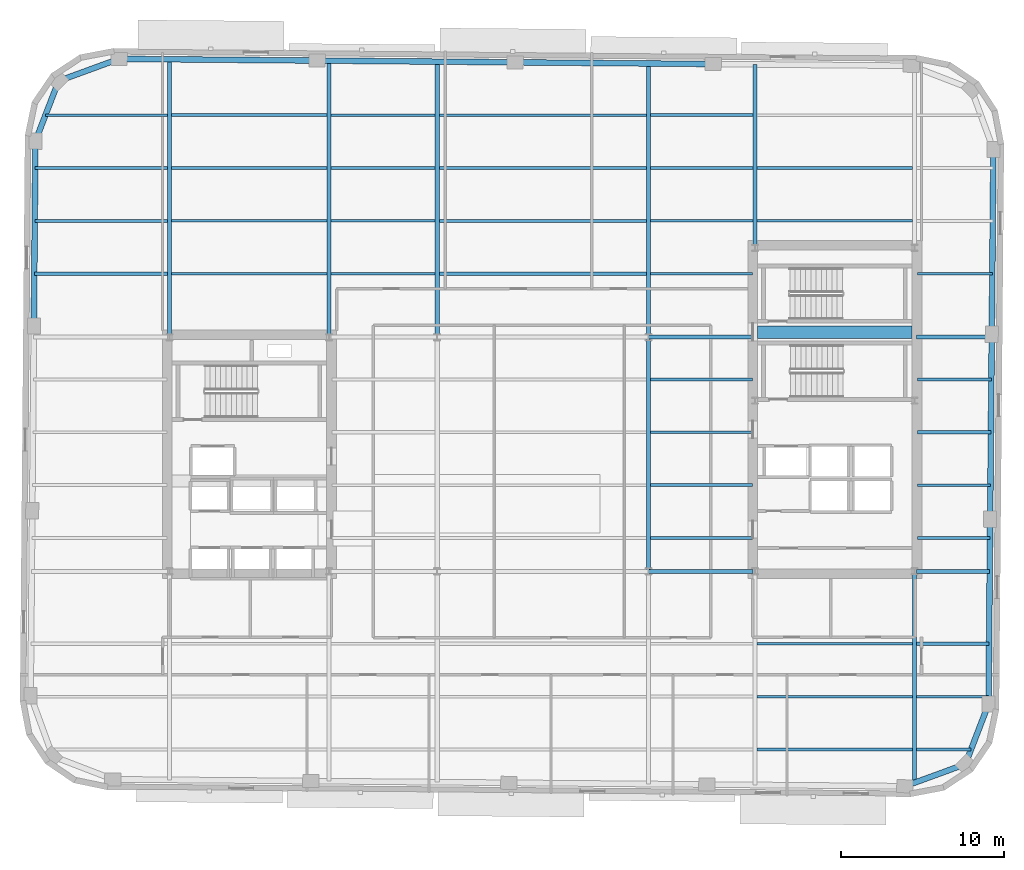
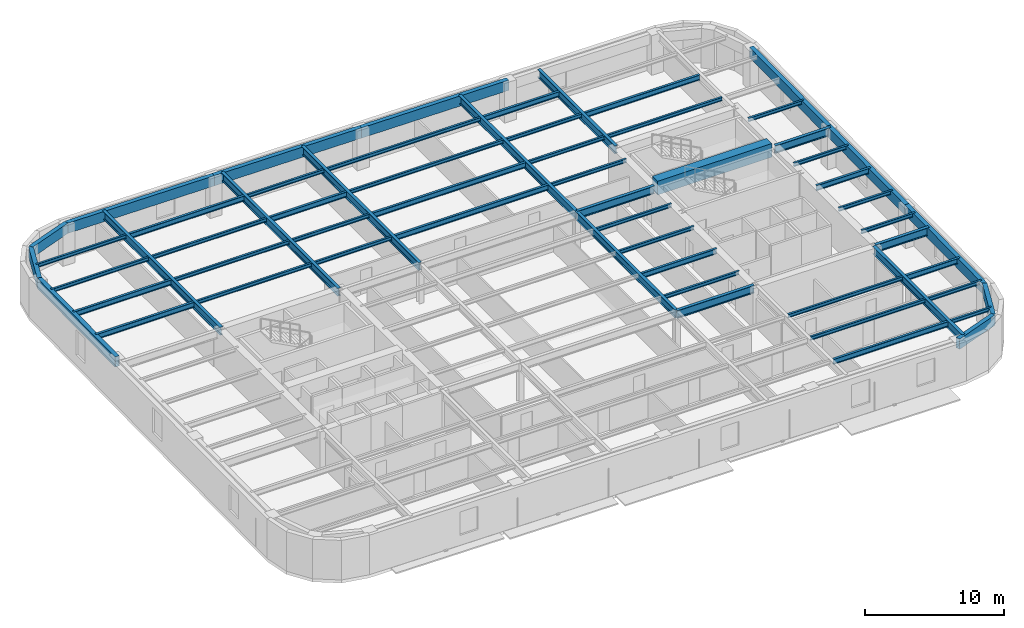
# One storey, part 2 of 11: 60 beams.
"""IFC4 building model written with IfcOpenShell, lengths in metres."""

from ifc_helpers import new_model, si_unit, direction, frame, origin, origin_2d, place, context, subcontext, project, spatial, rectangle, hollow_rectangle, i_section, extrude, material, material_profile, profile_set, type_object, element, save


model = new_model("IFC4")

# Units and contexts
model_context = context("Model", 3, precision=1e-05, world=origin(), true_north=direction((0.0, 1.0)))
body_context = subcontext(model_context, "Body", "Model", "MODEL_VIEW")
ifc_project = project(units=[si_unit("LENGTHUNIT", "METRE"), si_unit("AREAUNIT", "SQUARE_METRE"), si_unit("VOLUMEUNIT", "CUBIC_METRE"), si_unit("PLANEANGLEUNIT", "RADIAN"), si_unit("MASSUNIT", "GRAM", prefix="KILO")], contexts=[model_context])

# Site, building, storey
site_placement = place(None, origin())
site = spatial("IfcSite", under=ifc_project, at=site_placement, CompositionType="ELEMENT")
building_placement = place(site_placement, origin())
building = spatial("IfcBuilding", under=site, at=building_placement, Name="Kolvaren Arena Tower", CompositionType="ELEMENT")
storey_placement = place(building_placement, frame((0.0, 0.0, 195.949951171875)))
storey = spatial("IfcBuildingStorey", under=building, at=storey_placement, Name="L47", CompositionType="ELEMENT", Elevation=195.949951171875)

# Beams
ifc_material_1 = material(Name="Steel CSA G40.21 350W", Category="steel")
ifc_material_profile_1 = material_profile(ifc_material_1, i_section(OverallWidth=0.193115234375, OverallDepth=0.462890625, WebThickness=0.0107421875, FlangeThickness=0.0205078125, FilletRadius=0.012939453125, at=origin_2d()), Name="W460x113")
ifc_profile_set_1 = profile_set([ifc_material_profile_1], Name="Steel CSA G40.21 350W")
beam_type_1 = type_object("IfcBeamType", Name="BEAM-F2", PredefinedType="BEAM", material=ifc_profile_set_1)
beam_1_placement = place(storey_placement, frame((50.677490234375, 8.5, 3.24853515625), z_axis=(1.0, 0.0, 0.0), x_axis=(0.0, 1.0, 0.0)))
element("IfcBeam", 1, at=beam_1_placement, inside=storey, type_object=beam_type_1, Name="Composite Floor Beam (L47)", PredefinedType="BEAM", context=body_context, shape_type="SweptSolid", body=[
    extrude(i_section(OverallWidth=0.193115234375, OverallDepth=0.462890625, WebThickness=0.0107421875, FlangeThickness=0.0205078125, FilletRadius=0.012939453125, at=origin_2d()), origin(), (0.0, 0.0, 1.0), 9.544921875),
])
beam_2_placement = place(storey_placement, frame((60.4775390625, 15.0, 3.24853515625), z_axis=(1.0, 0.0, 0.0), x_axis=(0.0, 1.0, 0.0)))
element("IfcBeam", 2, at=beam_2_placement, inside=storey, type_object=beam_type_1, Name="Composite Floor Beam (L47)", PredefinedType="BEAM", context=body_context, shape_type="SweptSolid", body=[
    extrude(i_section(OverallWidth=0.193115234375, OverallDepth=0.462890625, WebThickness=0.0107421875, FlangeThickness=0.0205078125, FilletRadius=0.012939453125, at=origin_2d()), origin(), (0.0, 0.0, 1.0), 4.454833984375),
])
beam_3_placement = place(storey_placement, frame((44.12744140625, 24.75, 3.24853515625), z_axis=(1.0, 0.0, 0.0), x_axis=(0.0, 1.0, 0.0)))
element("IfcBeam", 3, at=beam_3_placement, inside=storey, type_object=beam_type_1, Name="Composite Floor Beam (L47)", PredefinedType="BEAM", context=body_context, shape_type="SweptSolid", body=[
    extrude(i_section(OverallWidth=0.193115234375, OverallDepth=0.462890625, WebThickness=0.0107421875, FlangeThickness=0.0205078125, FilletRadius=0.012939453125, at=origin_2d()), origin(), (0.0, 0.0, 1.0), 6.25244140625),
])
beam_4_placement = place(storey_placement, frame((60.52001953125, 28.0, 3.24853515625), z_axis=(1.0, 0.0, 0.0), x_axis=(0.0, 1.0, 0.0)))
element("IfcBeam", 4, at=beam_4_placement, inside=storey, type_object=beam_type_1, Name="Composite Floor Beam (L47)", PredefinedType="BEAM", context=body_context, shape_type="SweptSolid", body=[
    extrude(i_section(OverallWidth=0.193115234375, OverallDepth=0.462890625, WebThickness=0.0107421875, FlangeThickness=0.0205078125, FilletRadius=0.012939453125, at=origin_2d()), origin(), (0.0, 0.0, 1.0), 4.52587890625),
])
beam_5_placement = place(storey_placement, frame((6.228759765625, 37.75, 3.24853515625), z_axis=(1.0, 0.0, 0.0), x_axis=(0.0, 1.0, 0.0)))
element("IfcBeam", 5, at=beam_5_placement, inside=storey, type_object=beam_type_1, Name="Composite Floor Beam (L47)", PredefinedType="BEAM", context=body_context, shape_type="SweptSolid", body=[
    extrude(i_section(OverallWidth=0.193115234375, OverallDepth=0.462890625, WebThickness=0.0107421875, FlangeThickness=0.0205078125, FilletRadius=0.012939453125, at=origin_2d()), origin(), (0.0, 0.0, 1.0), 8.19384765625),
])
beam_6_placement = place(storey_placement, frame((31.12744140625, 37.75, 3.24853515625), z_axis=(1.0, 0.0, 0.0), x_axis=(0.0, 1.0, 0.0)))
element("IfcBeam", 6, at=beam_6_placement, inside=storey, type_object=beam_type_1, Name="Composite Floor Beam (L47)", PredefinedType="BEAM", context=body_context, shape_type="SweptSolid", body=[
    extrude(i_section(OverallWidth=0.193115234375, OverallDepth=0.462890625, WebThickness=0.0107421875, FlangeThickness=0.0205078125, FilletRadius=0.012939453125, at=origin_2d()), origin(), (0.0, 0.0, 1.0), 12.7451171875),
])
beam_7_placement = place(storey_placement, frame((6.257080078125, 41.0, 3.24853515625), z_axis=(1.0, 0.0, 0.0), x_axis=(0.0, 1.0, 0.0)))
element("IfcBeam", 7, at=beam_7_placement, inside=storey, type_object=beam_type_1, Name="Composite Floor Beam (L47)", PredefinedType="BEAM", context=body_context, shape_type="SweptSolid", body=[
    extrude(i_section(OverallWidth=0.193115234375, OverallDepth=0.462890625, WebThickness=0.0107421875, FlangeThickness=0.0205078125, FilletRadius=0.012939453125, at=origin_2d()), origin(), (0.0, 0.0, 1.0), 8.16552734375),
])
beam_8_placement = place(storey_placement, frame((31.12744140625, 41.0, 3.24853515625), z_axis=(1.0, 0.0, 0.0), x_axis=(0.0, 1.0, 0.0)))
element("IfcBeam", 8, at=beam_8_placement, inside=storey, type_object=beam_type_1, Name="Composite Floor Beam (L47)", PredefinedType="BEAM", context=body_context, shape_type="SweptSolid", body=[
    extrude(i_section(OverallWidth=0.193115234375, OverallDepth=0.462890625, WebThickness=0.0107421875, FlangeThickness=0.0205078125, FilletRadius=0.012939453125, at=origin_2d()), origin(), (0.0, 0.0, 1.0), 12.7451171875),
])
beam_9_placement = place(storey_placement, frame((24.4775390625, 44.25, 3.24853515625), z_axis=(1.0, 0.0, 0.0), x_axis=(0.0, 1.0, 0.0)))
element("IfcBeam", 9, at=beam_9_placement, inside=storey, type_object=beam_type_1, Name="Composite Floor Beam (L47)", PredefinedType="BEAM", context=body_context, shape_type="SweptSolid", body=[
    extrude(i_section(OverallWidth=0.193115234375, OverallDepth=0.462890625, WebThickness=0.0107421875, FlangeThickness=0.0205078125, FilletRadius=0.012939453125, at=origin_2d()), origin(), (0.0, 0.0, 1.0), 6.39501953125),
])
for number, where, z_axis, x_axis, name in (
    (10, (50.677490234375, 44.25, 3.24853515625), (1.0, 0.0, 0.0), (0.0, 1.0, 0.0), "Composite Floor Beam (L47)"),
    (11, (14.677490234375, 47.5, 3.24853515625), (1.0, 0.0, 0.0), (0.0, 1.0, 0.0), "Composite Floor Beam (L47)"),
):
    element("IfcBeam", number, at=place(storey_placement, frame(where, z_axis=z_axis, x_axis=x_axis)), inside=storey, type_object=beam_type_1, Name=name, PredefinedType="BEAM", context=body_context, shape_type="SweptSolid", body=[
        extrude(i_section(OverallWidth=0.193115234375, OverallDepth=0.462890625, WebThickness=0.0107421875, FlangeThickness=0.0205078125, FilletRadius=0.012939453125, at=origin_2d()), origin(), (0.0, 0.0, 1.0), 9.544921875),
    ])
beam_10_placement = place(storey_placement, frame((44.12744140625, 47.5, 3.24853515625), z_axis=(1.0, 0.0, 0.0), x_axis=(0.0, 1.0, 0.0)))
element("IfcBeam", 12, at=beam_10_placement, inside=storey, type_object=beam_type_1, Name="Composite Floor Beam (L47)", PredefinedType="BEAM", context=body_context, shape_type="SweptSolid", body=[
    extrude(i_section(OverallWidth=0.193115234375, OverallDepth=0.462890625, WebThickness=0.0107421875, FlangeThickness=0.0205078125, FilletRadius=0.012939453125, at=origin_2d()), origin(), (0.0, 0.0, 1.0), 6.295166015625),
])
ifc_material_2 = material(Name="Concrete 60 MPa", Category="concrete")
ifc_material_profile_2 = material_profile(ifc_material_2, rectangle(XDim=0.75, YDim=1.199951171875, at=origin_2d()), Name="RC-750x1200")
ifc_profile_set_2 = profile_set([ifc_material_profile_2], Name="Concrete 60 MPa")
beam_type_2 = type_object("IfcBeamType", Name="CB-CORE-2", PredefinedType="BEAM", material=ifc_profile_set_2)
beam_11_placement = place(storey_placement, frame((50.699951171875, 34.14990234375, 3.150146484375), z_axis=(1.0, 0.0, 0.0), x_axis=(0.0, 1.0, 0.0)))
element("IfcBeam", 13, at=beam_11_placement, inside=storey, type_object=beam_type_2, Name="East Core Coupling Beam (L47)", PredefinedType="BEAM", context=body_context, shape_type="SweptSolid", body=[
    extrude(rectangle(XDim=0.75, YDim=1.199951171875, at=origin_2d()), origin(), (0.0, 0.0, 1.0), 9.5),
])
ifc_material_profile_3 = material_profile(ifc_material_1, i_section(OverallWidth=0.2548828125, OverallDepth=0.695068359375, WebThickness=0.01708984375, FlangeThickness=0.02978515625, FilletRadius=0.01611328125, at=origin_2d()), Name="W690x217")
ifc_profile_set_3 = profile_set([ifc_material_profile_3], Name="Steel CSA G40.21 350W")
beam_type_3 = type_object("IfcBeamType", Name="GIRD-T2", PredefinedType="BEAM", material=ifc_profile_set_3)
beam_12_placement = place(storey_placement, frame((44.0, 19.449951171875, 3.132568359375), z_axis=(1.0, 0.0, 0.0), x_axis=(0.0, 1.0, 0.0)))
element("IfcBeam", 14, at=beam_12_placement, inside=storey, type_object=beam_type_3, Name="Primary Floor Girder (L47)", PredefinedType="BEAM", context=body_context, shape_type="SweptSolid", body=[
    extrude(i_section(OverallWidth=0.2548828125, OverallDepth=0.695068359375, WebThickness=0.01708984375, FlangeThickness=0.02978515625, FilletRadius=0.01611328125, at=origin_2d()), origin(), (0.0, 0.0, 1.0), 6.419921875),
])
beam_13_placement = place(storey_placement, frame((60.47998046875, 19.449951171875, 3.132568359375), z_axis=(1.0, 0.0, 0.0), x_axis=(0.0, 1.0, 0.0)))
element("IfcBeam", 15, at=beam_13_placement, inside=storey, type_object=beam_type_3, Name="Primary Floor Girder (L47)", PredefinedType="BEAM", context=body_context, shape_type="SweptSolid", body=[
    extrude(i_section(OverallWidth=0.2548828125, OverallDepth=0.695068359375, WebThickness=0.01708984375, FlangeThickness=0.02978515625, FilletRadius=0.01611328125, at=origin_2d()), origin(), (0.0, 0.0, 1.0), 4.4912109375),
])
beam_14_placement = place(storey_placement, frame((44.0, 33.85009765625, 3.132568359375), z_axis=(1.0, 0.0, 0.0), x_axis=(0.0, 1.0, 0.0)))
element("IfcBeam", 16, at=beam_14_placement, inside=storey, type_object=beam_type_3, Name="Primary Floor Girder (L47)", PredefinedType="BEAM", context=body_context, shape_type="SweptSolid", body=[
    extrude(i_section(OverallWidth=0.2548828125, OverallDepth=0.695068359375, WebThickness=0.01708984375, FlangeThickness=0.02978515625, FilletRadius=0.01611328125, at=origin_2d()), origin(), (0.0, 0.0, 1.0), 6.419921875),
])
beam_15_placement = place(storey_placement, frame((60.47998046875, 33.85009765625, 3.132568359375), z_axis=(1.0, 0.0, 0.0), x_axis=(0.0, 1.0, 0.0)))
element("IfcBeam", 17, at=beam_15_placement, inside=storey, type_object=beam_type_3, Name="Primary Floor Girder (L47)", PredefinedType="BEAM", context=body_context, shape_type="SweptSolid", body=[
    extrude(i_section(OverallWidth=0.2548828125, OverallDepth=0.695068359375, WebThickness=0.01708984375, FlangeThickness=0.02978515625, FilletRadius=0.01611328125, at=origin_2d()), origin(), (0.0, 0.0, 1.0), 4.616943359375),
])
beam_16_placement = place(storey_placement, frame((14.550048828125, 33.97998046875, 3.132568359375), z_axis=(0.0, 1.0, 0.0), x_axis=(-1.0, 0.0, 0.0)))
element("IfcBeam", 18, at=beam_16_placement, inside=storey, type_object=beam_type_3, Name="Primary Floor Girder (L47)", PredefinedType="BEAM", context=body_context, shape_type="SweptSolid", body=[
    extrude(i_section(OverallWidth=0.2548828125, OverallDepth=0.695068359375, WebThickness=0.01708984375, FlangeThickness=0.02978515625, FilletRadius=0.01611328125, at=origin_2d()), origin(), (0.0, 0.0, 1.0), 16.95458984375),
])
beam_17_placement = place(storey_placement, frame((24.35009765625, 33.97998046875, 3.132568359375), z_axis=(0.0, 1.0, 0.0), x_axis=(-1.0, 0.0, 0.0)))
element("IfcBeam", 19, at=beam_17_placement, inside=storey, type_object=beam_type_3, Name="Primary Floor Girder (L47)", PredefinedType="BEAM", context=body_context, shape_type="SweptSolid", body=[
    extrude(i_section(OverallWidth=0.2548828125, OverallDepth=0.695068359375, WebThickness=0.01708984375, FlangeThickness=0.02978515625, FilletRadius=0.01611328125, at=origin_2d()), origin(), (0.0, 0.0, 1.0), 16.869140625),
])
beam_18_placement = place(storey_placement, frame((31.0, 33.85009765625, 3.132568359375), z_axis=(0.0, 1.0, 0.0), x_axis=(-1.0, 0.0, 0.0)))
element("IfcBeam", 20, at=beam_18_placement, inside=storey, type_object=beam_type_3, Name="Primary Floor Girder (L47)", PredefinedType="BEAM", context=body_context, shape_type="SweptSolid", body=[
    extrude(i_section(OverallWidth=0.2548828125, OverallDepth=0.695068359375, WebThickness=0.01708984375, FlangeThickness=0.02978515625, FilletRadius=0.01611328125, at=origin_2d()), origin(), (0.0, 0.0, 1.0), 16.94091796875),
])
beam_19_placement = place(storey_placement, frame((44.0, 19.449951171875, 3.132568359375), z_axis=(0.0, 1.0, 0.0), x_axis=(-1.0, 0.0, 0.0)))
element("IfcBeam", 21, at=beam_19_placement, inside=storey, type_object=beam_type_3, Name="Primary Floor Girder (L47)", PredefinedType="BEAM", context=body_context, shape_type="SweptSolid", body=[
    extrude(i_section(OverallWidth=0.2548828125, OverallDepth=0.695068359375, WebThickness=0.01708984375, FlangeThickness=0.02978515625, FilletRadius=0.01611328125, at=origin_2d()), origin(), (0.0, 0.0, 1.0), 14.400146484375),
])
beam_20_placement = place(storey_placement, frame((44.0, 33.85009765625, 3.132568359375), z_axis=(0.0, 1.0, 0.0), x_axis=(-1.0, 0.0, 0.0)))
element("IfcBeam", 22, at=beam_20_placement, inside=storey, type_object=beam_type_3, Name="Primary Floor Girder (L47)", PredefinedType="BEAM", context=body_context, shape_type="SweptSolid", body=[
    extrude(i_section(OverallWidth=0.2548828125, OverallDepth=0.695068359375, WebThickness=0.01708984375, FlangeThickness=0.02978515625, FilletRadius=0.01611328125, at=origin_2d()), origin(), (0.0, 0.0, 1.0), 16.827392578125),
])
beam_21_placement = place(storey_placement, frame((50.550048828125, 39.47998046875, 3.132568359375), z_axis=(0.0, 1.0, 0.0), x_axis=(-1.0, 0.0, 0.0)))
element("IfcBeam", 23, at=beam_21_placement, inside=storey, type_object=beam_type_3, Name="Primary Floor Girder (L47)", PredefinedType="BEAM", context=body_context, shape_type="SweptSolid", body=[
    extrude(i_section(OverallWidth=0.2548828125, OverallDepth=0.695068359375, WebThickness=0.01708984375, FlangeThickness=0.02978515625, FilletRadius=0.01611328125, at=origin_2d()), origin(), (0.0, 0.0, 1.0), 11.140380859375),
])
beam_22_placement = place(storey_placement, frame((60.35009765625, 6.455322265625, 3.132568359375), z_axis=(0.0, 1.0, 0.0), x_axis=(-1.0, 0.0, 0.0)))
element("IfcBeam", 24, at=beam_22_placement, inside=storey, type_object=beam_type_3, Name="Primary Floor Girder (L47)", PredefinedType="BEAM", context=body_context, shape_type="SweptSolid", body=[
    extrude(i_section(OverallWidth=0.2548828125, OverallDepth=0.695068359375, WebThickness=0.01708984375, FlangeThickness=0.02978515625, FilletRadius=0.01611328125, at=origin_2d()), origin(), (0.0, 0.0, 1.0), 12.86474609375),
])
ifc_material_profile_4 = material_profile(ifc_material_1, i_section(OverallWidth=0.1669921875, OverallDepth=0.31689453125, WebThickness=0.007568359375, FlangeThickness=0.01318359375, FilletRadius=0.010009765625, at=origin_2d()), Name="W310x52")
ifc_profile_set_4 = profile_set([ifc_material_profile_4], Name="Steel CSA G40.21 350W")
beam_type_4 = type_object("IfcBeamType", Name="JOIST-02", PredefinedType="JOIST", material=ifc_profile_set_4)
beam_23_placement = place(storey_placement, frame((60.4775390625, 8.5, 3.321533203125), z_axis=(1.0, 0.0, 0.0), x_axis=(0.0, 1.0, 0.0)))
element("IfcBeam", 25, at=beam_23_placement, inside=storey, type_object=beam_type_4, Name="Composite Floor Joist (L47)", PredefinedType="JOIST", context=body_context, shape_type="SweptSolid", body=[
    extrude(i_section(OverallWidth=0.1669921875, OverallDepth=0.31689453125, WebThickness=0.007568359375, FlangeThickness=0.01318359375, FilletRadius=0.010009765625, at=origin_2d()), origin(), (0.0, 0.0, 1.0), 3.3466796875),
])
beam_24_placement = place(storey_placement, frame((50.677490234375, 11.75, 3.321533203125), z_axis=(1.0, 0.0, 0.0), x_axis=(0.0, 1.0, 0.0)))
element("IfcBeam", 26, at=beam_24_placement, inside=storey, type_object=beam_type_4, Name="Composite Floor Joist (L47)", PredefinedType="JOIST", context=body_context, shape_type="SweptSolid", body=[
    extrude(i_section(OverallWidth=0.1669921875, OverallDepth=0.31689453125, WebThickness=0.007568359375, FlangeThickness=0.01318359375, FilletRadius=0.010009765625, at=origin_2d()), origin(), (0.0, 0.0, 1.0), 9.544921875),
])
beam_25_placement = place(storey_placement, frame((60.4775390625, 11.75, 3.321533203125), z_axis=(1.0, 0.0, 0.0), x_axis=(0.0, 1.0, 0.0)))
element("IfcBeam", 27, at=beam_25_placement, inside=storey, type_object=beam_type_4, Name="Composite Floor Joist (L47)", PredefinedType="JOIST", context=body_context, shape_type="SweptSolid", body=[
    extrude(i_section(OverallWidth=0.1669921875, OverallDepth=0.31689453125, WebThickness=0.007568359375, FlangeThickness=0.01318359375, FilletRadius=0.010009765625, at=origin_2d()), origin(), (0.0, 0.0, 1.0), 4.426513671875),
])
beam_26_placement = place(storey_placement, frame((50.677490234375, 15.0, 3.321533203125), z_axis=(1.0, 0.0, 0.0), x_axis=(0.0, 1.0, 0.0)))
element("IfcBeam", 28, at=beam_26_placement, inside=storey, type_object=beam_type_4, Name="Composite Floor Joist (L47)", PredefinedType="JOIST", context=body_context, shape_type="SweptSolid", body=[
    extrude(i_section(OverallWidth=0.1669921875, OverallDepth=0.31689453125, WebThickness=0.007568359375, FlangeThickness=0.01318359375, FilletRadius=0.010009765625, at=origin_2d()), origin(), (0.0, 0.0, 1.0), 9.544921875),
])
beam_27_placement = place(storey_placement, frame((44.12744140625, 21.5, 3.321533203125), z_axis=(1.0, 0.0, 0.0), x_axis=(0.0, 1.0, 0.0)))
element("IfcBeam", 29, at=beam_27_placement, inside=storey, type_object=beam_type_4, Name="Composite Floor Joist (L47)", PredefinedType="JOIST", context=body_context, shape_type="SweptSolid", body=[
    extrude(i_section(OverallWidth=0.1669921875, OverallDepth=0.31689453125, WebThickness=0.007568359375, FlangeThickness=0.01318359375, FilletRadius=0.010009765625, at=origin_2d()), origin(), (0.0, 0.0, 1.0), 6.25244140625),
])
beam_28_placement = place(storey_placement, frame((60.52001953125, 21.5, 3.321533203125), z_axis=(1.0, 0.0, 0.0), x_axis=(0.0, 1.0, 0.0)))
element("IfcBeam", 30, at=beam_28_placement, inside=storey, type_object=beam_type_4, Name="Composite Floor Joist (L47)", PredefinedType="JOIST", context=body_context, shape_type="SweptSolid", body=[
    extrude(i_section(OverallWidth=0.1669921875, OverallDepth=0.31689453125, WebThickness=0.007568359375, FlangeThickness=0.01318359375, FilletRadius=0.010009765625, at=origin_2d()), origin(), (0.0, 0.0, 1.0), 4.46923828125),
])
beam_29_placement = place(storey_placement, frame((60.52001953125, 24.75, 3.321533203125), z_axis=(1.0, 0.0, 0.0), x_axis=(0.0, 1.0, 0.0)))
element("IfcBeam", 31, at=beam_29_placement, inside=storey, type_object=beam_type_4, Name="Composite Floor Joist (L47)", PredefinedType="JOIST", context=body_context, shape_type="SweptSolid", body=[
    extrude(i_section(OverallWidth=0.1669921875, OverallDepth=0.31689453125, WebThickness=0.007568359375, FlangeThickness=0.01318359375, FilletRadius=0.010009765625, at=origin_2d()), origin(), (0.0, 0.0, 1.0), 4.49755859375),
])
for number, where, z_axis, x_axis, name in (
    (32, (44.12744140625, 28.0, 3.321533203125), (1.0, 0.0, 0.0), (0.0, 1.0, 0.0), "Composite Floor Joist (L47)"),
    (33, (44.12744140625, 31.25, 3.321533203125), (1.0, 0.0, 0.0), (0.0, 1.0, 0.0), "Composite Floor Joist (L47)"),
):
    element("IfcBeam", number, at=place(storey_placement, frame(where, z_axis=z_axis, x_axis=x_axis)), inside=storey, type_object=beam_type_4, Name=name, PredefinedType="JOIST", context=body_context, shape_type="SweptSolid", body=[
        extrude(i_section(OverallWidth=0.1669921875, OverallDepth=0.31689453125, WebThickness=0.007568359375, FlangeThickness=0.01318359375, FilletRadius=0.010009765625, at=origin_2d()), origin(), (0.0, 0.0, 1.0), 6.25244140625),
    ])
beam_30_placement = place(storey_placement, frame((60.52001953125, 31.25, 3.321533203125), z_axis=(1.0, 0.0, 0.0), x_axis=(0.0, 1.0, 0.0)))
element("IfcBeam", 34, at=beam_30_placement, inside=storey, type_object=beam_type_4, Name="Composite Floor Joist (L47)", PredefinedType="JOIST", context=body_context, shape_type="SweptSolid", body=[
    extrude(i_section(OverallWidth=0.1669921875, OverallDepth=0.31689453125, WebThickness=0.007568359375, FlangeThickness=0.01318359375, FilletRadius=0.010009765625, at=origin_2d()), origin(), (0.0, 0.0, 1.0), 4.55419921875),
])
beam_31_placement = place(storey_placement, frame((14.677490234375, 37.75, 3.321533203125), z_axis=(1.0, 0.0, 0.0), x_axis=(0.0, 1.0, 0.0)))
element("IfcBeam", 35, at=beam_31_placement, inside=storey, type_object=beam_type_4, Name="Composite Floor Joist (L47)", PredefinedType="JOIST", context=body_context, shape_type="SweptSolid", body=[
    extrude(i_section(OverallWidth=0.1669921875, OverallDepth=0.31689453125, WebThickness=0.007568359375, FlangeThickness=0.01318359375, FilletRadius=0.010009765625, at=origin_2d()), origin(), (0.0, 0.0, 1.0), 9.544921875),
])
beam_32_placement = place(storey_placement, frame((24.4775390625, 37.75, 3.321533203125), z_axis=(1.0, 0.0, 0.0), x_axis=(0.0, 1.0, 0.0)))
element("IfcBeam", 36, at=beam_32_placement, inside=storey, type_object=beam_type_4, Name="Composite Floor Joist (L47)", PredefinedType="JOIST", context=body_context, shape_type="SweptSolid", body=[
    extrude(i_section(OverallWidth=0.1669921875, OverallDepth=0.31689453125, WebThickness=0.007568359375, FlangeThickness=0.01318359375, FilletRadius=0.010009765625, at=origin_2d()), origin(), (0.0, 0.0, 1.0), 6.39501953125),
])
beam_33_placement = place(storey_placement, frame((44.12744140625, 37.75, 3.321533203125), z_axis=(1.0, 0.0, 0.0), x_axis=(0.0, 1.0, 0.0)))
element("IfcBeam", 37, at=beam_33_placement, inside=storey, type_object=beam_type_4, Name="Composite Floor Joist (L47)", PredefinedType="JOIST", context=body_context, shape_type="SweptSolid", body=[
    extrude(i_section(OverallWidth=0.1669921875, OverallDepth=0.31689453125, WebThickness=0.007568359375, FlangeThickness=0.01318359375, FilletRadius=0.010009765625, at=origin_2d()), origin(), (0.0, 0.0, 1.0), 6.25244140625),
])
beam_34_placement = place(storey_placement, frame((60.52001953125, 37.75, 3.321533203125), z_axis=(1.0, 0.0, 0.0), x_axis=(0.0, 1.0, 0.0)))
element("IfcBeam", 38, at=beam_34_placement, inside=storey, type_object=beam_type_4, Name="Composite Floor Joist (L47)", PredefinedType="JOIST", context=body_context, shape_type="SweptSolid", body=[
    extrude(i_section(OverallWidth=0.1669921875, OverallDepth=0.31689453125, WebThickness=0.007568359375, FlangeThickness=0.01318359375, FilletRadius=0.010009765625, at=origin_2d()), origin(), (0.0, 0.0, 1.0), 4.611083984375),
])
beam_35_placement = place(storey_placement, frame((14.677490234375, 41.0, 3.321533203125), z_axis=(1.0, 0.0, 0.0), x_axis=(0.0, 1.0, 0.0)))
element("IfcBeam", 39, at=beam_35_placement, inside=storey, type_object=beam_type_4, Name="Composite Floor Joist (L47)", PredefinedType="JOIST", context=body_context, shape_type="SweptSolid", body=[
    extrude(i_section(OverallWidth=0.1669921875, OverallDepth=0.31689453125, WebThickness=0.007568359375, FlangeThickness=0.01318359375, FilletRadius=0.010009765625, at=origin_2d()), origin(), (0.0, 0.0, 1.0), 9.544921875),
])
beam_36_placement = place(storey_placement, frame((24.4775390625, 41.0, 3.321533203125), z_axis=(1.0, 0.0, 0.0), x_axis=(0.0, 1.0, 0.0)))
element("IfcBeam", 40, at=beam_36_placement, inside=storey, type_object=beam_type_4, Name="Composite Floor Joist (L47)", PredefinedType="JOIST", context=body_context, shape_type="SweptSolid", body=[
    extrude(i_section(OverallWidth=0.1669921875, OverallDepth=0.31689453125, WebThickness=0.007568359375, FlangeThickness=0.01318359375, FilletRadius=0.010009765625, at=origin_2d()), origin(), (0.0, 0.0, 1.0), 6.39501953125),
])
beam_37_placement = place(storey_placement, frame((44.12744140625, 41.0, 3.321533203125), z_axis=(1.0, 0.0, 0.0), x_axis=(0.0, 1.0, 0.0)))
element("IfcBeam", 41, at=beam_37_placement, inside=storey, type_object=beam_type_4, Name="Composite Floor Joist (L47)", PredefinedType="JOIST", context=body_context, shape_type="SweptSolid", body=[
    extrude(i_section(OverallWidth=0.1669921875, OverallDepth=0.31689453125, WebThickness=0.007568359375, FlangeThickness=0.01318359375, FilletRadius=0.010009765625, at=origin_2d()), origin(), (0.0, 0.0, 1.0), 6.295166015625),
])
beam_38_placement = place(storey_placement, frame((50.677490234375, 41.0, 3.321533203125), z_axis=(1.0, 0.0, 0.0), x_axis=(0.0, 1.0, 0.0)))
element("IfcBeam", 42, at=beam_38_placement, inside=storey, type_object=beam_type_4, Name="Composite Floor Joist (L47)", PredefinedType="JOIST", context=body_context, shape_type="SweptSolid", body=[
    extrude(i_section(OverallWidth=0.1669921875, OverallDepth=0.31689453125, WebThickness=0.007568359375, FlangeThickness=0.01318359375, FilletRadius=0.010009765625, at=origin_2d()), origin(), (0.0, 0.0, 1.0), 9.544921875),
])
beam_39_placement = place(storey_placement, frame((6.285400390625, 44.25, 3.321533203125), z_axis=(1.0, 0.0, 0.0), x_axis=(0.0, 1.0, 0.0)))
element("IfcBeam", 43, at=beam_39_placement, inside=storey, type_object=beam_type_4, Name="Composite Floor Joist (L47)", PredefinedType="JOIST", context=body_context, shape_type="SweptSolid", body=[
    extrude(i_section(OverallWidth=0.1669921875, OverallDepth=0.31689453125, WebThickness=0.007568359375, FlangeThickness=0.01318359375, FilletRadius=0.010009765625, at=origin_2d()), origin(), (0.0, 0.0, 1.0), 8.13720703125),
])
beam_40_placement = place(storey_placement, frame((14.677490234375, 44.25, 3.321533203125), z_axis=(1.0, 0.0, 0.0), x_axis=(0.0, 1.0, 0.0)))
element("IfcBeam", 44, at=beam_40_placement, inside=storey, type_object=beam_type_4, Name="Composite Floor Joist (L47)", PredefinedType="JOIST", context=body_context, shape_type="SweptSolid", body=[
    extrude(i_section(OverallWidth=0.1669921875, OverallDepth=0.31689453125, WebThickness=0.007568359375, FlangeThickness=0.01318359375, FilletRadius=0.010009765625, at=origin_2d()), origin(), (0.0, 0.0, 1.0), 9.544921875),
])
beam_41_placement = place(storey_placement, frame((31.12744140625, 44.25, 3.321533203125), z_axis=(1.0, 0.0, 0.0), x_axis=(0.0, 1.0, 0.0)))
element("IfcBeam", 45, at=beam_41_placement, inside=storey, type_object=beam_type_4, Name="Composite Floor Joist (L47)", PredefinedType="JOIST", context=body_context, shape_type="SweptSolid", body=[
    extrude(i_section(OverallWidth=0.1669921875, OverallDepth=0.31689453125, WebThickness=0.007568359375, FlangeThickness=0.01318359375, FilletRadius=0.010009765625, at=origin_2d()), origin(), (0.0, 0.0, 1.0), 12.7451171875),
])
beam_42_placement = place(storey_placement, frame((44.12744140625, 44.25, 3.321533203125), z_axis=(1.0, 0.0, 0.0), x_axis=(0.0, 1.0, 0.0)))
element("IfcBeam", 46, at=beam_42_placement, inside=storey, type_object=beam_type_4, Name="Composite Floor Joist (L47)", PredefinedType="JOIST", context=body_context, shape_type="SweptSolid", body=[
    extrude(i_section(OverallWidth=0.1669921875, OverallDepth=0.31689453125, WebThickness=0.007568359375, FlangeThickness=0.01318359375, FilletRadius=0.010009765625, at=origin_2d()), origin(), (0.0, 0.0, 1.0), 6.295166015625),
])
beam_43_placement = place(storey_placement, frame((6.913818359375, 47.5, 3.321533203125), z_axis=(1.0, 0.0, 0.0), x_axis=(0.0, 1.0, 0.0)))
element("IfcBeam", 47, at=beam_43_placement, inside=storey, type_object=beam_type_4, Name="Composite Floor Joist (L47)", PredefinedType="JOIST", context=body_context, shape_type="SweptSolid", body=[
    extrude(i_section(OverallWidth=0.1669921875, OverallDepth=0.31689453125, WebThickness=0.007568359375, FlangeThickness=0.01318359375, FilletRadius=0.010009765625, at=origin_2d()), origin(), (0.0, 0.0, 1.0), 7.5087890625),
])
beam_44_placement = place(storey_placement, frame((24.4775390625, 47.5, 3.321533203125), z_axis=(1.0, 0.0, 0.0), x_axis=(0.0, 1.0, 0.0)))
element("IfcBeam", 48, at=beam_44_placement, inside=storey, type_object=beam_type_4, Name="Composite Floor Joist (L47)", PredefinedType="JOIST", context=body_context, shape_type="SweptSolid", body=[
    extrude(i_section(OverallWidth=0.1669921875, OverallDepth=0.31689453125, WebThickness=0.007568359375, FlangeThickness=0.01318359375, FilletRadius=0.010009765625, at=origin_2d()), origin(), (0.0, 0.0, 1.0), 6.39501953125),
])
beam_45_placement = place(storey_placement, frame((31.12744140625, 47.5, 3.321533203125), z_axis=(1.0, 0.0, 0.0), x_axis=(0.0, 1.0, 0.0)))
element("IfcBeam", 49, at=beam_45_placement, inside=storey, type_object=beam_type_4, Name="Composite Floor Joist (L47)", PredefinedType="JOIST", context=body_context, shape_type="SweptSolid", body=[
    extrude(i_section(OverallWidth=0.1669921875, OverallDepth=0.31689453125, WebThickness=0.007568359375, FlangeThickness=0.01318359375, FilletRadius=0.010009765625, at=origin_2d()), origin(), (0.0, 0.0, 1.0), 12.7451171875),
])
ifc_material_3 = material(Name="Steel CSA G40.21 350WT", Category="steel")
ifc_material_profile_5 = material_profile(ifc_material_3, hollow_rectangle(XDim=0.35009765625, YDim=0.89990234375, WallThickness=0.02001953125, at=origin_2d()), Name="HSS 900x350x20")
ifc_profile_set_5 = profile_set([ifc_material_profile_5], Name="Steel CSA G40.21 350WT")
beam_type_5 = type_object("IfcBeamType", Name="SPAND-01", PredefinedType="SPANDREL", material=ifc_profile_set_5)
for number, where, z_axis, x_axis, name in (
    (50, (59.755859375, 6.23828125, 3.030029296875), (0.939313819882, 0.343059102458, 0.0), (-0.343059102458, 0.939313819882, 0.0), "Perimeter Spandrel Beam (L47)"),
    (51, (63.4765625, 7.59716796875, 3.030029296875), (0.359383792094, 0.933189846698, 0.0), (-0.933189846698, 0.359383792094, 0.0), "Perimeter Spandrel Beam (L47)"),
):
    element("IfcBeam", number, at=place(storey_placement, frame(where, z_axis=z_axis, x_axis=x_axis)), inside=storey, type_object=beam_type_5, Name=name, PredefinedType="SPANDREL", context=body_context, shape_type="SweptSolid", body=[
        extrude(hollow_rectangle(XDim=0.35009765625, YDim=0.89990234375, WallThickness=0.02001953125, at=origin_2d()), origin(), (0.0, 0.0, 1.0), 3.961181640625),
    ])
for number, where, z_axis, x_axis, name in (
    (52, (64.900146484375, 11.293701171875, 3.030029296875), (0.008720348885, 0.999961977035, 0.0), (-0.999961977035, 0.008720348885, 0.0), "Perimeter Spandrel Beam (L47)"),
    (53, (64.999267578125, 22.659912109375, 3.030029296875), (0.008720348885, 0.999961977035, 0.0), (-0.999961977035, 0.008720348885, 0.0), "Perimeter Spandrel Beam (L47)"),
    (54, (65.098388671875, 34.026123046875, 3.030029296875), (0.008741825937, 0.99996178951, 0.0), (-0.99996178951, 0.008741825937, 0.0), "Perimeter Spandrel Beam (L47)"),
):
    element("IfcBeam", number, at=place(storey_placement, frame(where, z_axis=z_axis, x_axis=x_axis)), inside=storey, type_object=beam_type_5, Name=name, PredefinedType="SPANDREL", context=body_context, shape_type="SweptSolid", body=[
        extrude(hollow_rectangle(XDim=0.35009765625, YDim=0.89990234375, WallThickness=0.02001953125, at=origin_2d()), origin(), (0.0, 0.0, 1.0), 11.36669921875),
    ])
beam_46_placement = place(storey_placement, frame((47.9677734375, 50.642822265625, 3.030029296875), z_axis=(-0.999961779919, 0.008742922896, 0.0), x_axis=(-0.008742922896, -0.999961779919, 0.0)))
element("IfcBeam", 55, at=beam_46_placement, inside=storey, type_object=beam_type_5, Name="Perimeter Spandrel Beam (L47)", PredefinedType="SPANDREL", context=body_context, shape_type="SweptSolid", body=[
    extrude(hollow_rectangle(XDim=0.35009765625, YDim=0.89990234375, WallThickness=0.02001953125, at=origin_2d()), origin(), (0.0, 0.0, 1.0), 12.175048828125),
])
beam_47_placement = place(storey_placement, frame((35.793212890625, 50.749267578125, 3.030029296875), z_axis=(-0.999961953504, 0.008723046761, 0.0), x_axis=(-0.008723046761, -0.999961953504, 0.0)))
element("IfcBeam", 56, at=beam_47_placement, inside=storey, type_object=beam_type_5, Name="Perimeter Spandrel Beam (L47)", PredefinedType="SPANDREL", context=body_context, shape_type="SweptSolid", body=[
    extrude(hollow_rectangle(XDim=0.35009765625, YDim=0.89990234375, WallThickness=0.02001953125, at=origin_2d()), origin(), (0.0, 0.0, 1.0), 12.1748046875),
])
beam_48_placement = place(storey_placement, frame((23.618896484375, 50.85546875, 3.030029296875), z_axis=(-0.999961956555, 0.008722696942, 0.0), x_axis=(-0.008722696942, -0.999961956555, 0.0)))
element("IfcBeam", 57, at=beam_48_placement, inside=storey, type_object=beam_type_5, Name="Perimeter Spandrel Beam (L47)", PredefinedType="SPANDREL", context=body_context, shape_type="SweptSolid", body=[
    extrude(hollow_rectangle(XDim=0.35009765625, YDim=0.89990234375, WallThickness=0.02001953125, at=origin_2d()), origin(), (0.0, 0.0, 1.0), 12.17529296875),
])
for number, where, z_axis, x_axis, name in (
    (58, (11.444091796875, 50.961669921875, 3.030029296875), (-0.939313819882, -0.343059102458, 0.0), (0.343059102458, -0.939313819882, 0.0), "Perimeter Spandrel Beam (L47)"),
    (59, (7.723388671875, 49.602783203125, 3.030029296875), (-0.359383792094, -0.933189846698, 0.0), (0.933189846698, -0.359383792094, 0.0), "Perimeter Spandrel Beam (L47)"),
):
    element("IfcBeam", number, at=place(storey_placement, frame(where, z_axis=z_axis, x_axis=x_axis)), inside=storey, type_object=beam_type_5, Name=name, PredefinedType="SPANDREL", context=body_context, shape_type="SweptSolid", body=[
        extrude(hollow_rectangle(XDim=0.35009765625, YDim=0.89990234375, WallThickness=0.02001953125, at=origin_2d()), origin(), (0.0, 0.0, 1.0), 3.961181640625),
    ])
beam_49_placement = place(storey_placement, frame((6.2998046875, 45.90625, 3.030029296875), z_axis=(-0.008720348885, -0.999961977035, 0.0), x_axis=(0.999961977035, -0.008720348885, 0.0)))
element("IfcBeam", 60, at=beam_49_placement, inside=storey, type_object=beam_type_5, Name="Perimeter Spandrel Beam (L47)", PredefinedType="SPANDREL", context=body_context, shape_type="SweptSolid", body=[
    extrude(hollow_rectangle(XDim=0.35009765625, YDim=0.89990234375, WallThickness=0.02001953125, at=origin_2d()), origin(), (0.0, 0.0, 1.0), 11.36669921875),
])

save(model, "model.ifc")
